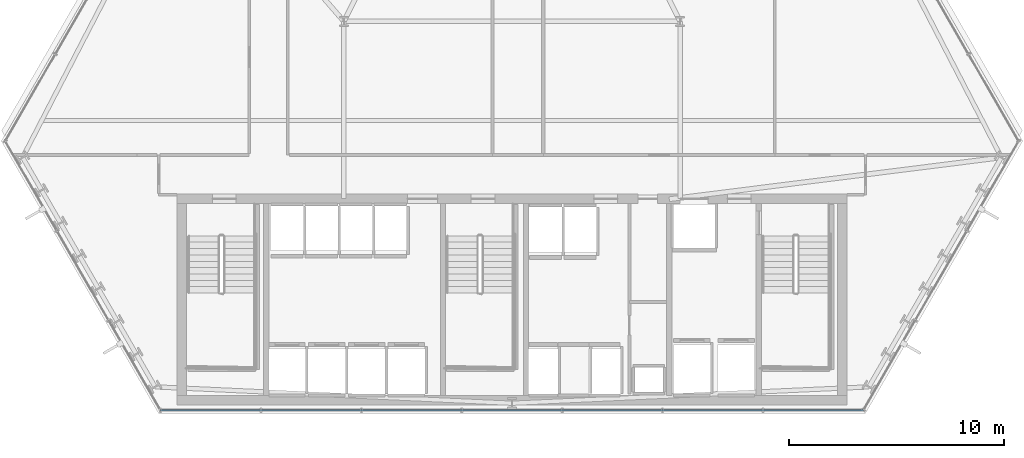
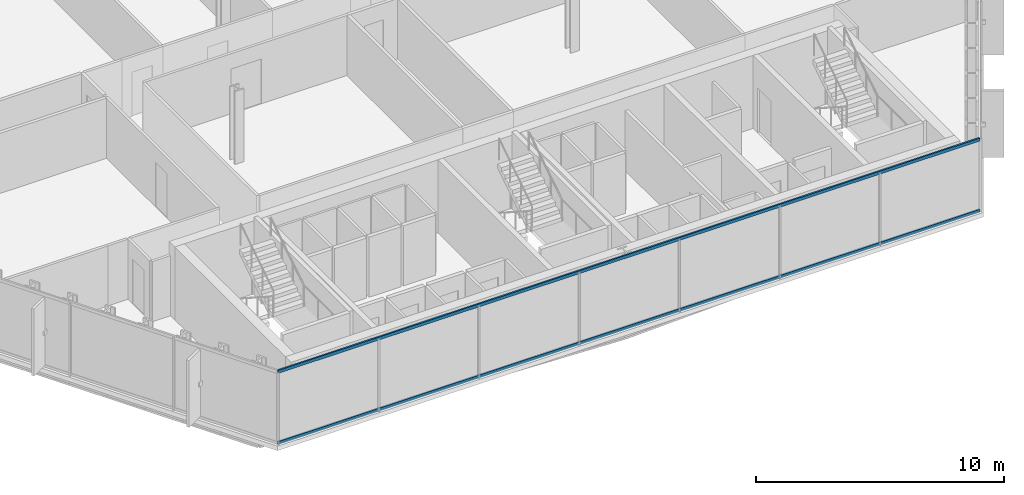
# One storey, part 8 of 33: 2 members, 1 element without a shape of its own.
"""IFC4 building model written with IfcOpenShell, lengths in metres."""

from ifc_helpers import new_model, si_unit, direction, frame, origin, origin_2d, place, context, subcontext, project, spatial, hollow_rectangle, extrude, material, layer, layer_set, material_profile, profile_set, type_object, element, aggregate, save


model = new_model("IFC4")

# Units and contexts
model_context = context("Model", 3, precision=1e-05, world=origin(), true_north=direction((0.0, 1.0)))
body_context = subcontext(model_context, "Body", "Model", "MODEL_VIEW")
ifc_project = project(units=[si_unit("LENGTHUNIT", "METRE"), si_unit("AREAUNIT", "SQUARE_METRE"), si_unit("VOLUMEUNIT", "CUBIC_METRE"), si_unit("PLANEANGLEUNIT", "RADIAN"), si_unit("MASSUNIT", "GRAM", prefix="KILO")], contexts=[model_context])

# Site, building, storey
site_placement = place(None, origin())
site = spatial("IfcSite", under=ifc_project, at=site_placement, CompositionType="ELEMENT")
building_placement = place(site_placement, origin())
building = spatial("IfcBuilding", under=site, at=building_placement, Name="Ndaravel Arena Tower", CompositionType="ELEMENT")
storey_placement = place(building_placement, frame((0.0, 0.0, 81.60009765625)))
storey = spatial("IfcBuildingStorey", under=building, at=storey_placement, Name="L18", CompositionType="ELEMENT", Elevation=81.60009765625)

# Curtain wall, members
ifc_material_1 = material(Name="Aluminium", Category="aluminium")
ifc_layer = layer(ifc_material_1, 0.179931640625)
ifc_layer_set = layer_set([ifc_layer], Name="Aluminium")
curtain_wall_type = type_object("IfcCurtainWallType", Name="CW-SYS-03", PredefinedType="NOTDEFINED", material=ifc_layer_set)
curtain_wall_placement = place(storey_placement, origin())
curtain_wall = element("IfcCurtainWall", 1, at=curtain_wall_placement, inside=storey, type_object=curtain_wall_type, Name="L18 Faceted Crystal Curtain Wall CW-L18-E01", PredefinedType="NOTDEFINED")
ifc_material_2 = material(Name="Aluminium", Category="aluminium")
ifc_material_profile = material_profile(ifc_material_2, hollow_rectangle(XDim=0.074951171875, YDim=0.14990234375, WallThickness=0.00390625, at=origin_2d()), Name="CW TRANSOM 75x150x4")
ifc_profile_set = profile_set([ifc_material_profile], Name="Aluminium")
member_type = type_object("IfcMemberType", Name="MEM-CW-TRN150", PredefinedType="USERDEFINED", material=ifc_profile_set)
member_1_placement = place(storey_placement, frame((25.691162109375, 5.159912109375, 0.039794921875), z_axis=(1.0, 0.0, 0.0), x_axis=(0.0, 1.0, 0.0)))
member_1 = element("IfcMember", 2, at=member_1_placement, type_object=member_type, Name="CW-L18-E01 Transom 01", ObjectType="TRANSOM", PredefinedType="USERDEFINED", context=body_context, shape_type="SweptSolid", body=[
    extrude(hollow_rectangle(XDim=0.074951171875, YDim=0.14990234375, WallThickness=0.00390625, at=origin_2d()), origin(), (0.0, 0.0, 1.0), 32.61767578125),
])
member_2_placement = place(storey_placement, frame((25.691162109375, 5.159912109375, 3.539794921875), z_axis=(1.0, 0.0, 0.0), x_axis=(0.0, 1.0, 0.0)))
member_2 = element("IfcMember", 3, at=member_2_placement, type_object=member_type, Name="CW-L18-E01 Transom 02", ObjectType="TRANSOM", PredefinedType="USERDEFINED", context=body_context, shape_type="SweptSolid", body=[
    extrude(hollow_rectangle(XDim=0.074951171875, YDim=0.14990234375, WallThickness=0.00390625, at=origin_2d()), origin(), (0.0, 0.0, 1.0), 32.61767578125),
])
aggregate(curtain_wall, [member_1, member_2])

save(model, "model.ifc")
